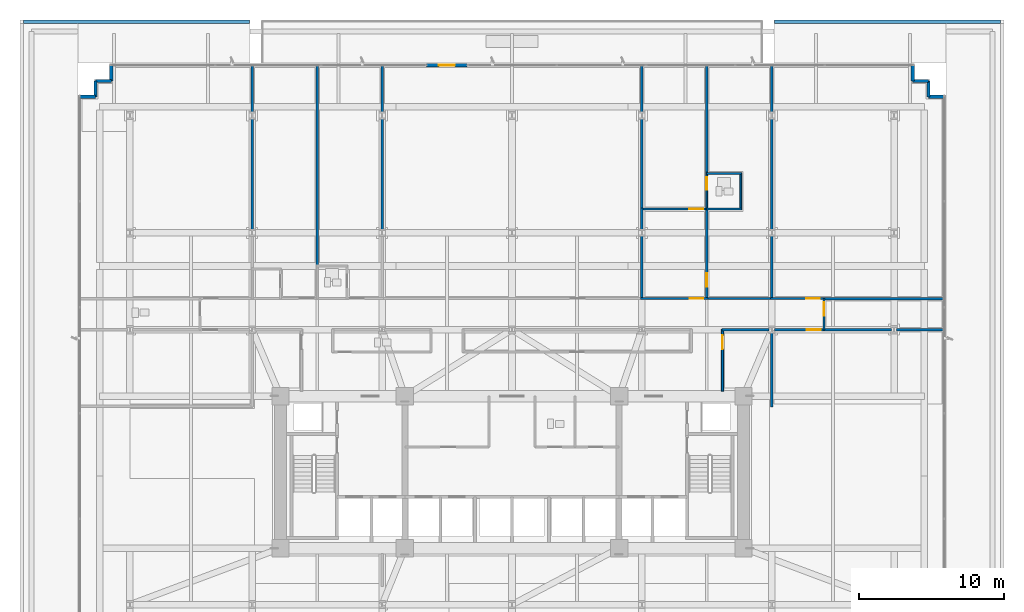
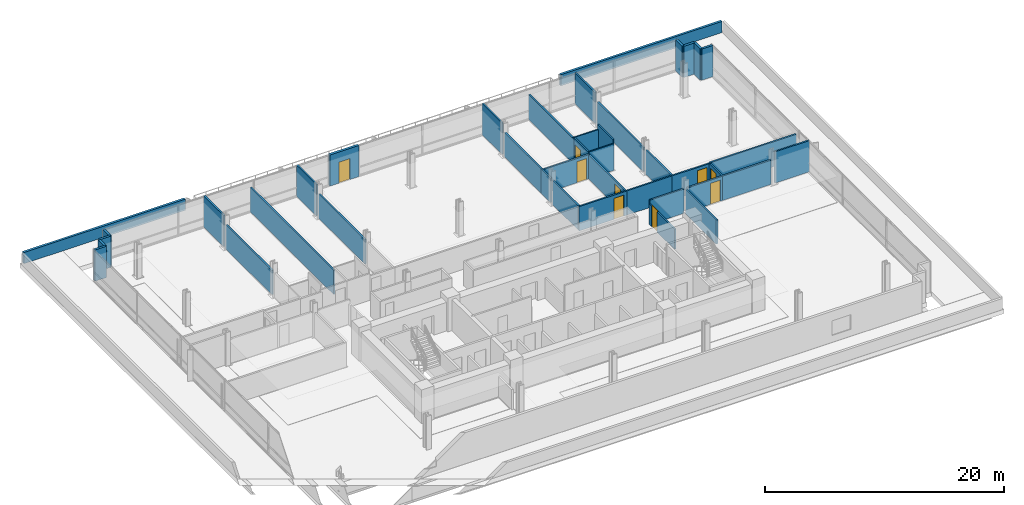
# One storey, part 20 of 25: 41 walls, 9 doors, 9 openings.
"""IFC4 building model written with IfcOpenShell, lengths in metres."""

from ifc_helpers import new_model, si_unit, direction, frame, frame_2d, origin, place, context, subcontext, project, spatial, rectangle, extrude, material, layer, layer_set, type_object, element, fill, save


model = new_model("IFC4")

# Units and contexts
model_context = context("Model", 3, precision=1e-05, world=origin(), true_north=direction((0.0, 1.0)))
body_context = subcontext(model_context, "Body", "Model", "MODEL_VIEW")
ifc_project = project(units=[si_unit("LENGTHUNIT", "METRE"), si_unit("AREAUNIT", "SQUARE_METRE"), si_unit("VOLUMEUNIT", "CUBIC_METRE"), si_unit("PLANEANGLEUNIT", "RADIAN"), si_unit("MASSUNIT", "GRAM", prefix="KILO")], contexts=[model_context])

# Site, building, storey
site_placement = place(None, origin())
site = spatial("IfcSite", under=ifc_project, at=site_placement, CompositionType="ELEMENT")
building_placement = place(site_placement, origin())
building = spatial("IfcBuilding", under=site, at=building_placement, Name="Solmavex Isthmus Hotel", CompositionType="ELEMENT")
storey_placement = place(building_placement, frame((0.0, 0.0, 26.39990234375)))
storey = spatial("IfcBuildingStorey", under=building, at=storey_placement, Name="L06", CompositionType="ELEMENT", Elevation=26.39990234375)

# Walls
ifc_material_1 = material(Name="Precast Concrete C40/50", Category="concrete")
ifc_layer_1 = layer(ifc_material_1, 0.219970703125)
ifc_layer_set_1 = layer_set([ifc_layer_1], Name="Precast Concrete C40/50")
wall_type_1 = type_object("IfcWallType", Name="EW-PAR-220", PredefinedType="PARAPET", material=ifc_layer_set_1)
for number, where, z_axis, x_axis, name in (
    (1, (-33.760009765625, 23.3798828125, 0.0), (0.0, 0.0, 1.0), (1.0, 0.0, 0.0), "Podium Roof Maintenance Parapet NW"),
    (2, (18.14990234375, 23.3798828125, 0.0), (0.0, 0.0, 1.0), (1.0, 0.0, 0.0), "Podium Roof Maintenance Parapet NE"),
):
    element("IfcWall", number, at=place(storey_placement, frame(where, z_axis=z_axis, x_axis=x_axis)), inside=storey, type_object=wall_type_1, Name=name, PredefinedType="PARAPET", context=body_context, shape_type="SweptSolid", body=[
        extrude(rectangle(XDim=15.610107421875, YDim=0.219970703125, at=frame_2d((7.80517578125, 0.0))), origin(), (0.0, 0.0, 1.0), 1.150146484375),
    ])

# Wall, opening, door
ifc_layer_2 = layer(ifc_material_1, 0.25)
ifc_layer_set_2 = layer_set([ifc_layer_2], Name="Precast Concrete C40/50")
wall_type_2 = type_object("IfcWallType", Name="EW-TWR-250", PredefinedType="STANDARD", material=ifc_layer_set_2)
wall_1_placement = place(storey_placement, frame((-5.89990234375, 20.3798828125, 0.0), z_axis=(0.0, 0.0, 1.0), x_axis=(1.0, 0.0, 0.0)))
wall_1 = element("IfcWall", 3, at=wall_1_placement, inside=storey, type_object=wall_type_2, Name="Exterior Balcony Door Wall L06-2", PredefinedType="STANDARD", context=body_context, shape_type="SweptSolid", body=[
    extrude(rectangle(XDim=2.7998046875, YDim=0.239990234375, at=frame_2d((1.39990234375, 0.0))), origin(), (0.0, 0.0, 1.0), 3.190185546875),
])
opening_1_placement = place(wall_1_placement, frame((0.85009765625, 0.0, 0.0)))
opening_1 = element("IfcOpeningElement", 4, at=opening_1_placement, cuts=wall_1, Name="Opening ED-02", PredefinedType="OPENING", context=body_context, shape_type="SweptSolid", body=[
    extrude(rectangle(XDim=1.10009765625, YDim=2.14990234375, at=frame_2d((0.550048828125, 1.074951171875))), frame((0.0, 0.1298828125, 0.0), z_axis=(0.0, -1.0, 0.0), x_axis=(1.0, 0.0, 0.0)), (0.0, 0.0, 1.0), 0.260009765625),
])
ifc_material_2 = material(Name="Aluminium alloy 6063-T6", Category="aluminium")
door_type_1 = type_object("IfcDoorType", Name="EDR-BALC-1100", OperationType="NOTDEFINED", PredefinedType="DOOR", material=ifc_material_2)
door_1_placement = place(opening_1_placement, origin())
door_1 = element("IfcDoor", 5, at=door_1_placement, inside=storey, type_object=door_type_1, Name="Balcony & Terrace Glazed Door L06-2", OperationType="SINGLE_SWING_RIGHT", OverallHeight=2.14990234375, OverallWidth=1.10009765625, PredefinedType="DOOR", context=body_context, shape_type="SweptSolid", body=[
    extrude(rectangle(XDim=1.10009765625, YDim=2.14990234375, at=frame_2d((0.550048828125, 1.074951171875))), frame((0.0, 0.02490234375, 0.0), z_axis=(0.0, -1.0, 0.0), x_axis=(1.0, 0.0, 0.0)), (0.0, 0.0, 1.0), 0.050048828125),
])
fill(opening_1, door_1)

# Walls
wall_2_placement = place(storey_placement, frame((-29.889892578125, 18.18994140625, 0.0), z_axis=(0.0, 0.0, 1.0), x_axis=(1.0, 0.0, 0.0)))
element("IfcWall", 6, at=wall_2_placement, inside=storey, type_object=wall_type_2, Name="Serrated Corner Facade Panel L06-06", PredefinedType="STANDARD", context=body_context, shape_type="SweptSolid", body=[
    extrude(rectangle(XDim=1.099853515625, YDim=0.219970703125, at=frame_2d((0.5498046875, 0.0))), origin(), (0.0, 0.0, 1.0), 3.190185546875),
])
for number, where, z_axis, x_axis, name in (
    (7, (-28.7900390625, 18.18994140625, 0.0), (0.0, 0.0, 1.0), (0.0, 1.0, 0.0), "Serrated Corner Facade Panel L06-07"),
    (8, (-28.7900390625, 19.2900390625, 0.0), (0.0, 0.0, 1.0), (1.0, 0.0, 0.0), "Serrated Corner Facade Panel L06-08"),
):
    element("IfcWall", number, at=place(storey_placement, frame(where, z_axis=z_axis, x_axis=x_axis)), inside=storey, type_object=wall_type_2, Name=name, PredefinedType="STANDARD", context=body_context, shape_type="SweptSolid", body=[
        extrude(rectangle(XDim=1.10009765625, YDim=0.219970703125, at=frame_2d((0.550048828125, 0.0))), origin(), (0.0, 0.0, 1.0), 3.190185546875),
    ])
for number, where, z_axis, x_axis, name in (
    (9, (-27.68994140625, 19.2900390625, 0.0), (0.0, 0.0, 1.0), (0.0, 1.0, 0.0), "Serrated Corner Facade Panel L06-09"),
    (10, (27.68994140625, 20.389892578125, 0.0), (0.0, 0.0, 1.0), (0.0, -1.0, 0.0), "Serrated Corner Facade Panel L06-11"),
):
    element("IfcWall", number, at=place(storey_placement, frame(where, z_axis=z_axis, x_axis=x_axis)), inside=storey, type_object=wall_type_2, Name=name, PredefinedType="STANDARD", context=body_context, shape_type="SweptSolid", body=[
        extrude(rectangle(XDim=1.099853515625, YDim=0.219970703125, at=frame_2d((0.5498046875, 0.0))), origin(), (0.0, 0.0, 1.0), 3.190185546875),
    ])
for number, where, z_axis, x_axis, name in (
    (11, (27.68994140625, 19.2900390625, 0.0), (0.0, 0.0, 1.0), (1.0, 0.0, 0.0), "Serrated Corner Facade Panel L06-12"),
    (12, (28.7900390625, 19.2900390625, 0.0), (0.0, 0.0, 1.0), (0.0, -1.0, 0.0), "Serrated Corner Facade Panel L06-13"),
):
    element("IfcWall", number, at=place(storey_placement, frame(where, z_axis=z_axis, x_axis=x_axis)), inside=storey, type_object=wall_type_2, Name=name, PredefinedType="STANDARD", context=body_context, shape_type="SweptSolid", body=[
        extrude(rectangle(XDim=1.10009765625, YDim=0.219970703125, at=frame_2d((0.550048828125, 0.0))), origin(), (0.0, 0.0, 1.0), 3.190185546875),
    ])
wall_3_placement = place(storey_placement, frame((28.7900390625, 18.18994140625, 0.0), z_axis=(0.0, 0.0, 1.0), x_axis=(1.0, 0.0, 0.0)))
element("IfcWall", 13, at=wall_3_placement, inside=storey, type_object=wall_type_2, Name="Serrated Corner Facade Panel L06-14", PredefinedType="STANDARD", context=body_context, shape_type="SweptSolid", body=[
    extrude(rectangle(XDim=1.099853515625, YDim=0.219970703125, at=frame_2d((0.5498046875, 0.0))), origin(), (0.0, 0.0, 1.0), 3.190185546875),
])
ifc_material_3 = material(Name="Gypsum plasterboard lining", Category="gypsum")
ifc_layer_3 = layer(ifc_material_3, 0.159912109375)
ifc_layer_set_3 = layer_set([ifc_layer_3], Name="Gypsum plasterboard lining")
wall_type_3 = type_object("IfcWallType", Name="IW-COMP-160", PredefinedType="PARTITIONING", material=ifc_layer_set_3)
wall_4_placement = place(storey_placement, frame((-17.951904296875, 16.72509765625, 0.0), z_axis=(0.0, 0.0, 1.0), x_axis=(0.0, -1.0, 0.0)))
element("IfcWall", 14, at=wall_4_placement, inside=storey, type_object=wall_type_3, Name="Interior Partition Wall W-L06-P033", PredefinedType="PARTITIONING", context=body_context, shape_type="SweptSolid", body=[
    extrude(rectangle(XDim=7.76220703125, YDim=0.159912109375, at=frame_2d((3.881103515625, 0.0))), origin(), (0.0, 0.0, 1.0), 2.4794921875),
])
wall_5_placement = place(storey_placement, frame((-17.951904296875, 20.419921875, 0.0), z_axis=(0.0, 0.0, 1.0), x_axis=(0.0, -1.0, 0.0)))
element("IfcWall", 15, at=wall_5_placement, inside=storey, type_object=wall_type_3, Name="Interior Partition Wall W-L06-P034", PredefinedType="PARTITIONING", context=body_context, shape_type="SweptSolid", body=[
    extrude(rectangle(XDim=3.344970703125, YDim=0.159912109375, at=frame_2d((1.67236328125, 0.0))), origin(), (0.0, 0.0, 1.0), 3.190185546875),
])
wall_6_placement = place(storey_placement, frame((-13.464111328125, 20.419921875, 0.0), z_axis=(0.0, 0.0, 1.0), x_axis=(0.0, -1.0, 0.0)))
element("IfcWall", 16, at=wall_6_placement, inside=storey, type_object=wall_type_3, Name="Interior Partition Wall W-L06-P039", PredefinedType="PARTITIONING", context=body_context, shape_type="SweptSolid", body=[
    extrude(rectangle(XDim=14.001953125, YDim=0.159912109375, at=frame_2d((7.0009765625, 0.0))), origin(), (0.0, 0.0, 1.0), 2.4794921875),
])
wall_7_placement = place(storey_placement, frame((-8.97607421875, 16.72509765625, 0.0), z_axis=(0.0, 0.0, 1.0), x_axis=(0.0, -1.0, 0.0)))
element("IfcWall", 17, at=wall_7_placement, inside=storey, type_object=wall_type_3, Name="Interior Partition Wall W-L06-P044", PredefinedType="PARTITIONING", context=body_context, shape_type="SweptSolid", body=[
    extrude(rectangle(XDim=7.76220703125, YDim=0.159912109375, at=frame_2d((3.881103515625, 0.0))), origin(), (0.0, 0.0, 1.0), 2.4794921875),
])
wall_8_placement = place(storey_placement, frame((-8.97607421875, 20.419921875, 0.0), z_axis=(0.0, 0.0, 1.0), x_axis=(0.0, -1.0, 0.0)))
element("IfcWall", 18, at=wall_8_placement, inside=storey, type_object=wall_type_3, Name="Interior Partition Wall W-L06-P045", PredefinedType="PARTITIONING", context=body_context, shape_type="SweptSolid", body=[
    extrude(rectangle(XDim=3.344970703125, YDim=0.159912109375, at=frame_2d((1.67236328125, 0.0))), origin(), (0.0, 0.0, 1.0), 3.190185546875),
])
wall_9_placement = place(storey_placement, frame((8.97607421875, 8.613037109375, 0.0), z_axis=(0.0, 0.0, 1.0), x_axis=(0.0, -1.0, 0.0)))
element("IfcWall", 19, at=wall_9_placement, inside=storey, type_object=wall_type_3, Name="Interior Partition Wall W-L06-P046", PredefinedType="PARTITIONING", context=body_context, shape_type="SweptSolid", body=[
    extrude(rectangle(XDim=4.403076171875, YDim=0.159912109375, at=frame_2d((2.20166015625, 0.0))), origin(), (0.0, 0.0, 1.0), 2.4794921875),
])
wall_10_placement = place(storey_placement, frame((8.97607421875, 10.52001953125, 0.0), z_axis=(0.0, 0.0, 1.0), x_axis=(0.0, -1.0, 0.0)))
element("IfcWall", 20, at=wall_10_placement, inside=storey, type_object=wall_type_3, Name="Interior Partition Wall W-L06-P047", PredefinedType="PARTITIONING", context=body_context, shape_type="SweptSolid", body=[
    extrude(rectangle(XDim=1.55712890625, YDim=0.159912109375, at=frame_2d((0.778564453125, 0.0))), origin(), (0.0, 0.0, 1.0), 2.4794921875),
])
wall_11_placement = place(storey_placement, frame((8.97607421875, 16.72509765625, 0.0), z_axis=(0.0, 0.0, 1.0), x_axis=(0.0, -1.0, 0.0)))
element("IfcWall", 21, at=wall_11_placement, inside=storey, type_object=wall_type_3, Name="Interior Partition Wall W-L06-P048", PredefinedType="PARTITIONING", context=body_context, shape_type="SweptSolid", body=[
    extrude(rectangle(XDim=6.369140625, YDim=0.159912109375, at=frame_2d((3.1845703125, 0.0))), origin(), (0.0, 0.0, 1.0), 2.4794921875),
])
wall_12_placement = place(storey_placement, frame((8.97607421875, 20.419921875, 0.0), z_axis=(0.0, 0.0, 1.0), x_axis=(0.0, -1.0, 0.0)))
element("IfcWall", 22, at=wall_12_placement, inside=storey, type_object=wall_type_3, Name="Interior Partition Wall W-L06-P049", PredefinedType="PARTITIONING", context=body_context, shape_type="SweptSolid", body=[
    extrude(rectangle(XDim=3.344970703125, YDim=0.159912109375, at=frame_2d((1.67236328125, 0.0))), origin(), (0.0, 0.0, 1.0), 3.190185546875),
])

# Wall, opening, door
wall_13_placement = place(storey_placement, frame((8.93603515625, 10.43798828125, 0.0), z_axis=(0.0, 0.0, 1.0), x_axis=(1.0, 0.0, 0.0)))
wall_13 = element("IfcWall", 23, at=wall_13_placement, inside=storey, type_object=wall_type_3, Name="Interior Partition Wall W-L06-P050", PredefinedType="PARTITIONING", context=body_context, shape_type="SweptSolid", body=[
    extrude(rectangle(XDim=4.56787109375, YDim=0.159912109375, at=frame_2d((2.283935546875, 0.0))), origin(), (0.0, 0.0, 1.0), 2.4794921875),
])
opening_2_placement = place(wall_13_placement, frame((3.31689453125, 0.0, 0.0)))
opening_2 = element("IfcOpeningElement", 24, at=opening_2_placement, cuts=wall_13, Name="Opening ID-C095", PredefinedType="OPENING", context=body_context, shape_type="SweptSolid", body=[
    extrude(rectangle(XDim=0.949951171875, YDim=2.14990234375, at=frame_2d((0.47509765625, 1.074951171875))), frame((0.0, 0.08984375, 0.0), z_axis=(0.0, -1.0, 0.0), x_axis=(1.0, 0.0, 0.0)), (0.0, 0.0, 1.0), 0.179931640625),
])
ifc_material_4 = material(Name="Hardwood timber", Category="wood")
door_type_2 = type_object("IfcDoorType", Name="IDR-FD60-0950", OperationType="NOTDEFINED", PredefinedType="DOOR", material=ifc_material_4)
door_2_placement = place(opening_2_placement, origin())
door_2 = element("IfcDoor", 25, at=door_2_placement, inside=storey, type_object=door_type_2, Name="Premier Suite Master Bedroom Door L06-08", OperationType="SINGLE_SWING_RIGHT", OverallHeight=2.14990234375, OverallWidth=0.949951171875, PredefinedType="DOOR", context=body_context, shape_type="SweptSolid", body=[
    extrude(rectangle(XDim=0.949951171875, YDim=2.14990234375, at=frame_2d((0.47509765625, 1.074951171875))), frame((0.0, 0.02490234375, 0.0), z_axis=(0.0, -1.0, 0.0), x_axis=(1.0, 0.0, 0.0)), (0.0, 0.0, 1.0), 0.050048828125),
])
fill(opening_2, door_2)

wall_14_placement = place(storey_placement, frame((13.464111328125, 10.47802734375, 0.0), z_axis=(0.0, 0.0, 1.0), x_axis=(0.0, -1.0, 0.0)))
wall_14 = element("IfcWall", 26, at=wall_14_placement, inside=storey, type_object=wall_type_3, Name="Interior Partition Wall W-L06-P051", PredefinedType="PARTITIONING", context=body_context, shape_type="SweptSolid", body=[
    extrude(rectangle(XDim=6.26806640625, YDim=0.159912109375, at=frame_2d((3.134033203125, 0.0))), origin(), (0.0, 0.0, 1.0), 2.4794921875),
])
opening_3_placement = place(wall_14_placement, frame((4.478271484375, 0.0, 0.0)))
opening_3 = element("IfcOpeningElement", 27, at=opening_3_placement, cuts=wall_14, Name="Opening ID-C095", PredefinedType="OPENING", context=body_context, shape_type="SweptSolid", body=[
    extrude(rectangle(XDim=0.949951171875, YDim=2.14990234375, at=frame_2d((0.47509765625, 1.074951171875))), frame((0.0, 0.08984375, 0.0), z_axis=(0.0, -1.0, 0.0), x_axis=(1.0, 0.0, 0.0)), (0.0, 0.0, 1.0), 0.179931640625),
])
door_3_placement = place(opening_3_placement, origin())
door_3 = element("IfcDoor", 28, at=door_3_placement, inside=storey, type_object=door_type_2, Name="Premier Suite Living Lounge Door L06-09", OperationType="SINGLE_SWING_LEFT", OverallHeight=2.14990234375, OverallWidth=0.949951171875, PredefinedType="DOOR", context=body_context, shape_type="SweptSolid", body=[
    extrude(rectangle(XDim=0.949951171875, YDim=2.14990234375, at=frame_2d((0.47509765625, 1.074951171875))), frame((0.0, 0.02490234375, 0.0), z_axis=(0.0, -1.0, 0.0), x_axis=(1.0, 0.0, 0.0)), (0.0, 0.0, 1.0), 0.050048828125),
])
fill(opening_3, door_3)

# Walls
wall_15_placement = place(storey_placement, frame((13.464111328125, 20.419921875, 0.0), z_axis=(0.0, 0.0, 1.0), x_axis=(0.0, -1.0, 0.0)))
element("IfcWall", 29, at=wall_15_placement, inside=storey, type_object=wall_type_3, Name="Interior Partition Wall W-L06-P052", PredefinedType="PARTITIONING", context=body_context, shape_type="SweptSolid", body=[
    extrude(rectangle(XDim=7.614013671875, YDim=0.159912109375, at=frame_2d((3.80712890625, 0.0))), origin(), (0.0, 0.0, 1.0), 2.55322265625),
])
wall_16_placement = place(storey_placement, frame((17.951904296875, 8.613037109375, 0.0), z_axis=(0.0, 0.0, 1.0), x_axis=(0.0, -1.0, 0.0)))
element("IfcWall", 30, at=wall_16_placement, inside=storey, type_object=wall_type_3, Name="Interior Partition Wall W-L06-P057", PredefinedType="PARTITIONING", context=body_context, shape_type="SweptSolid", body=[
    extrude(rectangle(XDim=4.403076171875, YDim=0.159912109375, at=frame_2d((2.20166015625, 0.0))), origin(), (0.0, 0.0, 1.0), 2.4794921875),
])
wall_17_placement = place(storey_placement, frame((17.951904296875, 16.72509765625, 0.0), z_axis=(0.0, 0.0, 1.0), x_axis=(0.0, -1.0, 0.0)))
element("IfcWall", 31, at=wall_17_placement, inside=storey, type_object=wall_type_3, Name="Interior Partition Wall W-L06-P058", PredefinedType="PARTITIONING", context=body_context, shape_type="SweptSolid", body=[
    extrude(rectangle(XDim=7.76220703125, YDim=0.159912109375, at=frame_2d((3.881103515625, 0.0))), origin(), (0.0, 0.0, 1.0), 2.4794921875),
])
wall_18_placement = place(storey_placement, frame((17.951904296875, 20.419921875, 0.0), z_axis=(0.0, 0.0, 1.0), x_axis=(0.0, -1.0, 0.0)))
element("IfcWall", 32, at=wall_18_placement, inside=storey, type_object=wall_type_3, Name="Interior Partition Wall W-L06-P059", PredefinedType="PARTITIONING", context=body_context, shape_type="SweptSolid", body=[
    extrude(rectangle(XDim=3.344970703125, YDim=0.159912109375, at=frame_2d((1.67236328125, 0.0))), origin(), (0.0, 0.0, 1.0), 3.190185546875),
])
wall_19_placement = place(storey_placement, frame((29.919921875, 4.22998046875, 0.0), z_axis=(0.0, 0.0, 1.0), x_axis=(-1.0, 0.0, 0.0)))
element("IfcWall", 33, at=wall_19_placement, inside=storey, type_object=wall_type_3, Name="Interior Partition Wall W-L06-P060", PredefinedType="PARTITIONING", context=body_context, shape_type="SweptSolid", body=[
    extrude(rectangle(XDim=8.407958984375, YDim=0.159912109375, at=frame_2d((4.2041015625, 0.0))), origin(), (0.0, 0.0, 1.0), 2.55322265625),
])
wall_20_placement = place(storey_placement, frame((26.22509765625, 2.10009765625, 0.0), z_axis=(0.0, 0.0, 1.0), x_axis=(-1.0, 0.0, 0.0)))
element("IfcWall", 34, at=wall_20_placement, inside=storey, type_object=wall_type_3, Name="Interior Partition Wall W-L06-P063", PredefinedType="PARTITIONING", context=body_context, shape_type="SweptSolid", body=[
    extrude(rectangle(XDim=4.713134765625, YDim=0.159912109375, at=frame_2d((2.3564453125, 0.0))), origin(), (0.0, 0.0, 1.0), 2.4794921875),
])
wall_21_placement = place(storey_placement, frame((29.919921875, 2.10009765625, 0.0), z_axis=(0.0, 0.0, 1.0), x_axis=(-1.0, 0.0, 0.0)))
element("IfcWall", 35, at=wall_21_placement, inside=storey, type_object=wall_type_3, Name="Interior Partition Wall W-L06-P064", PredefinedType="PARTITIONING", context=body_context, shape_type="SweptSolid", body=[
    extrude(rectangle(XDim=3.344970703125, YDim=0.159912109375, at=frame_2d((1.67236328125, 0.0))), origin(), (0.0, 0.0, 1.0), 3.190185546875),
])
wall_22_placement = place(storey_placement, frame((17.951904296875, -3.239990234375, 0.0), z_axis=(0.0, 0.0, 1.0), x_axis=(0.0, 1.0, 0.0)))
element("IfcWall", 36, at=wall_22_placement, inside=storey, type_object=wall_type_3, Name="Interior Partition Wall W-L06-P067", PredefinedType="PARTITIONING", context=body_context, shape_type="SweptSolid", body=[
    extrude(rectangle(XDim=5.1650390625, YDim=0.159912109375, at=frame_2d((2.58251953125, 0.0))), origin(), (0.0, 0.0, 1.0), 2.4794921875),
])

# Wall, opening, door
ifc_layer_4 = layer(ifc_material_3, 0.14990234375)
ifc_layer_set_4 = layer_set([ifc_layer_4], Name="Gypsum plasterboard lining")
wall_type_4 = type_object("IfcWallType", Name="IW-CORR-150", PredefinedType="PARTITIONING", material=ifc_layer_set_4)
wall_23_placement = place(storey_placement, frame((8.89404296875, 4.25, 0.0), z_axis=(0.0, 0.0, 1.0), x_axis=(1.0, 0.0, 0.0)))
wall_23 = element("IfcWall", 37, at=wall_23_placement, inside=storey, type_object=wall_type_4, Name="Interior Partition Wall W-L06-P007", PredefinedType="PARTITIONING", context=body_context, shape_type="SweptSolid", body=[
    extrude(rectangle(XDim=4.65185546875, YDim=0.14990234375, at=frame_2d((2.325927734375, 0.0))), origin(), (0.0, 0.0, 1.0), 2.4794921875),
])
opening_4_placement = place(wall_23_placement, frame((3.38720703125, 0.0, 0.0)))
opening_4 = element("IfcOpeningElement", 38, at=opening_4_placement, cuts=wall_23, Name="Opening ID-C095", PredefinedType="OPENING", context=body_context, shape_type="SweptSolid", body=[
    extrude(rectangle(XDim=0.949951171875, YDim=2.14990234375, at=frame_2d((0.47509765625, 1.074951171875))), frame((0.0, 0.0849609375, 0.0), z_axis=(0.0, -1.0, 0.0), x_axis=(1.0, 0.0, 0.0)), (0.0, 0.0, 1.0), 0.169921875),
])
door_4_placement = place(opening_4_placement, origin())
door_4 = element("IfcDoor", 39, at=door_4_placement, inside=storey, type_object=door_type_2, Name="Premier Suite Entrance Hall Door L06-07", OperationType="SINGLE_SWING_LEFT", OverallHeight=2.14990234375, OverallWidth=0.949951171875, PredefinedType="DOOR", context=body_context, shape_type="SweptSolid", body=[
    extrude(rectangle(XDim=0.949951171875, YDim=2.14990234375, at=frame_2d((0.47509765625, 1.074951171875))), frame((0.0, 0.02490234375, 0.0), z_axis=(0.0, -1.0, 0.0), x_axis=(1.0, 0.0, 0.0)), (0.0, 0.0, 1.0), 0.050048828125),
])
fill(opening_4, door_4)

# Wall
wall_24_placement = place(storey_placement, frame((13.382080078125, 4.25, 0.0), z_axis=(0.0, 0.0, 1.0), x_axis=(1.0, 0.0, 0.0)))
element("IfcWall", 40, at=wall_24_placement, inside=storey, type_object=wall_type_4, Name="Interior Partition Wall W-L06-P008", PredefinedType="PARTITIONING", context=body_context, shape_type="SweptSolid", body=[
    extrude(rectangle(XDim=4.65185546875, YDim=0.14990234375, at=frame_2d((2.325927734375, 0.0))), origin(), (0.0, 0.0, 1.0), 2.4794921875),
])

# Wall, opening, door
wall_25_placement = place(storey_placement, frame((17.8701171875, 4.25, 0.0), z_axis=(0.0, 0.0, 1.0), x_axis=(1.0, 0.0, 0.0)))
wall_25 = element("IfcWall", 41, at=wall_25_placement, inside=storey, type_object=wall_type_4, Name="Interior Partition Wall W-L06-P009", PredefinedType="PARTITIONING", context=body_context, shape_type="SweptSolid", body=[
    extrude(rectangle(XDim=3.721923828125, YDim=0.14990234375, at=frame_2d((1.86083984375, 0.0))), origin(), (0.0, 0.0, 1.0), 2.4794921875),
])
opening_5_placement = place(wall_25_placement, frame((2.456787109375, 0.0, 0.0)))
opening_5 = element("IfcOpeningElement", 42, at=opening_5_placement, cuts=wall_25, Name="Opening ID-C095", PredefinedType="OPENING", context=body_context, shape_type="SweptSolid", body=[
    extrude(rectangle(XDim=0.949951171875, YDim=2.14990234375, at=frame_2d((0.47509765625, 1.074951171875))), frame((0.0, 0.0849609375, 0.0), z_axis=(0.0, -1.0, 0.0), x_axis=(1.0, 0.0, 0.0)), (0.0, 0.0, 1.0), 0.169921875),
])
door_5_placement = place(opening_5_placement, origin())
door_5 = element("IfcDoor", 43, at=door_5_placement, inside=storey, type_object=door_type_2, Name="Corporate Briefing Office Door L06-11", OperationType="SINGLE_SWING_LEFT", OverallHeight=2.14990234375, OverallWidth=0.949951171875, PredefinedType="DOOR", context=body_context, shape_type="SweptSolid", body=[
    extrude(rectangle(XDim=0.949951171875, YDim=2.14990234375, at=frame_2d((0.47509765625, 1.074951171875))), frame((0.0, 0.02490234375, 0.0), z_axis=(0.0, -1.0, 0.0), x_axis=(1.0, 0.0, 0.0)), (0.0, 0.0, 1.0), 0.050048828125),
])
fill(opening_5, door_5)

wall_26_placement = place(storey_placement, frame((21.552001953125, 4.27001953125, 0.0), z_axis=(0.0, 0.0, 1.0), x_axis=(0.0, -1.0, 0.0)))
wall_26 = element("IfcWall", 44, at=wall_26_placement, inside=storey, type_object=wall_type_4, Name="Interior Partition Wall W-L06-P017", PredefinedType="PARTITIONING", context=body_context, shape_type="SweptSolid", body=[
    extrude(rectangle(XDim=2.2099609375, YDim=0.14990234375, at=frame_2d((1.10498046875, 0.0))), origin(), (0.0, 0.0, 1.0), 2.4794921875),
])
opening_6_placement = place(wall_26_placement, frame((0.272216796875, 0.0, 0.0)))
opening_6 = element("IfcOpeningElement", 45, at=opening_6_placement, cuts=wall_26, Name="Opening ID-C095", PredefinedType="OPENING", context=body_context, shape_type="SweptSolid", body=[
    extrude(rectangle(XDim=0.949951171875, YDim=2.14990234375, at=frame_2d((0.47509765625, 1.074951171875))), frame((0.0, 0.0849609375, 0.0), z_axis=(0.0, -1.0, 0.0), x_axis=(1.0, 0.0, 0.0)), (0.0, 0.0, 1.0), 0.169921875),
])
door_6_placement = place(opening_6_placement, origin())
door_6 = element("IfcDoor", 46, at=door_6_placement, inside=storey, type_object=door_type_2, Name="Executive Meeting Room Door L06-14", OperationType="SINGLE_SWING_RIGHT", OverallHeight=2.14990234375, OverallWidth=0.949951171875, PredefinedType="DOOR", context=body_context, shape_type="SweptSolid", body=[
    extrude(rectangle(XDim=0.949951171875, YDim=2.14990234375, at=frame_2d((0.47509765625, 1.074951171875))), frame((0.0, 0.02490234375, 0.0), z_axis=(0.0, -1.0, 0.0), x_axis=(1.0, 0.0, 0.0)), (0.0, 0.0, 1.0), 0.050048828125),
])
fill(opening_6, door_6)

wall_27_placement = place(storey_placement, frame((21.592041015625, 2.10009765625, 0.0), z_axis=(0.0, 0.0, 1.0), x_axis=(-1.0, 0.0, 0.0)))
wall_27 = element("IfcWall", 47, at=wall_27_placement, inside=storey, type_object=wall_type_4, Name="Interior Partition Wall W-L06-P027", PredefinedType="PARTITIONING", context=body_context, shape_type="SweptSolid", body=[
    extrude(rectangle(XDim=3.465087890625, YDim=0.14990234375, at=frame_2d((1.732421875, 0.0))), origin(), (0.0, 0.0, 1.0), 2.4794921875),
])
opening_7_placement = place(wall_27_placement, frame((0.26220703125, 0.0, 0.0)))
opening_7 = element("IfcOpeningElement", 48, at=opening_7_placement, cuts=wall_27, Name="Opening ID-C095", PredefinedType="OPENING", context=body_context, shape_type="SweptSolid", body=[
    extrude(rectangle(XDim=0.949951171875, YDim=2.14990234375, at=frame_2d((0.47509765625, 1.074951171875))), frame((0.0, 0.0849609375, 0.0), z_axis=(0.0, -1.0, 0.0), x_axis=(1.0, 0.0, 0.0)), (0.0, 0.0, 1.0), 0.169921875),
])
door_7_placement = place(opening_7_placement, origin())
door_7 = element("IfcDoor", 49, at=door_7_placement, inside=storey, type_object=door_type_2, Name="Business Briefing Office Door L06-17", OperationType="SINGLE_SWING_LEFT", OverallHeight=2.14990234375, OverallWidth=0.949951171875, PredefinedType="DOOR", context=body_context, shape_type="SweptSolid", body=[
    extrude(rectangle(XDim=0.949951171875, YDim=2.14990234375, at=frame_2d((0.47509765625, 1.074951171875))), frame((0.0, 0.02490234375, 0.0), z_axis=(0.0, -1.0, 0.0), x_axis=(1.0, 0.0, 0.0)), (0.0, 0.0, 1.0), 0.050048828125),
])
fill(opening_7, door_7)

# Wall
wall_28_placement = place(storey_placement, frame((17.777099609375, 2.10009765625, 0.0), z_axis=(0.0, 0.0, 1.0), x_axis=(-1.0, 0.0, 0.0)))
element("IfcWall", 50, at=wall_28_placement, inside=storey, type_object=wall_type_4, Name="Interior Partition Wall W-L06-P030", PredefinedType="PARTITIONING", context=body_context, shape_type="SweptSolid", body=[
    extrude(rectangle(XDim=3.273193359375, YDim=0.14990234375, at=frame_2d((1.63671875, 0.0))), origin(), (0.0, 0.0, 1.0), 2.4794921875),
])

# Wall, opening, door
wall_29_placement = place(storey_placement, frame((14.5439453125, 2.139892578125, 0.0), z_axis=(0.0, 0.0, 1.0), x_axis=(0.0, -1.0, 0.0)))
wall_29 = element("IfcWall", 51, at=wall_29_placement, inside=storey, type_object=wall_type_4, Name="Interior Partition Wall W-L06-P031", PredefinedType="PARTITIONING", context=body_context, shape_type="SweptSolid", body=[
    extrude(rectangle(XDim=4.27978515625, YDim=0.14990234375, at=frame_2d((2.139892578125, 0.0))), origin(), (0.0, 0.0, 1.0), 2.0751953125),
])
opening_8_placement = place(wall_29_placement, frame((0.43017578125, 0.0, 0.0)))
opening_8 = element("IfcOpeningElement", 52, at=opening_8_placement, cuts=wall_29, Name="Opening ID-C095", PredefinedType="OPENING", context=body_context, shape_type="SweptSolid", body=[
    extrude(rectangle(XDim=0.949951171875, YDim=2.14990234375, at=frame_2d((0.47509765625, 1.074951171875))), frame((0.0, 0.0849609375, 0.0), z_axis=(0.0, -1.0, 0.0), x_axis=(1.0, 0.0, 0.0)), (0.0, 0.0, 1.0), 0.169921875),
])
door_8_placement = place(opening_8_placement, frame((0.949951171875, 0.0, 0.0), z_axis=(0.0, 0.0, 1.0), x_axis=(-1.0, 0.0, 0.0)))
door_8 = element("IfcDoor", 53, at=door_8_placement, inside=storey, type_object=door_type_2, Name="Business Briefing Office Door L06-19", OperationType="SINGLE_SWING_LEFT", OverallHeight=2.14990234375, OverallWidth=0.949951171875, PredefinedType="DOOR", context=body_context, shape_type="SweptSolid", body=[
    extrude(rectangle(XDim=0.949951171875, YDim=2.14990234375, at=frame_2d((0.47509765625, 1.074951171875))), frame((0.0, 0.02490234375, 0.0), z_axis=(0.0, -1.0, 0.0), x_axis=(1.0, 0.0, 0.0)), (0.0, 0.0, 1.0), 0.050048828125),
])
fill(opening_8, door_8)

ifc_layer_5 = layer(ifc_material_3, 0.1201171875)
ifc_layer_set_5 = layer_set([ifc_layer_5], Name="Gypsum plasterboard lining")
wall_type_5 = type_object("IfcWallType", Name="IW-PART-120", PredefinedType="PARTITIONING", material=ifc_layer_set_5)
wall_30_placement = place(storey_placement, frame((13.464111328125, 12.969970703125, 0.0), z_axis=(0.0, 0.0, 1.0), x_axis=(0.0, -1.0, 0.0)))
wall_30 = element("IfcWall", 54, at=wall_30_placement, inside=storey, type_object=wall_type_5, Name="Interior Partition Wall W-L06-P053", PredefinedType="PARTITIONING", context=body_context, shape_type="SweptSolid", body=[
    extrude(rectangle(XDim=2.572021484375, YDim=0.1201171875, at=frame_2d((1.2861328125, 0.0))), origin(), (0.0, 0.0, 1.0), 2.71826171875),
])
opening_9_placement = place(wall_30_placement, frame((0.337646484375, 0.0, 0.0)))
opening_9 = element("IfcOpeningElement", 55, at=opening_9_placement, cuts=wall_30, Name="Opening ID-U085", PredefinedType="OPENING", context=body_context, shape_type="SweptSolid", body=[
    extrude(rectangle(XDim=0.85009765625, YDim=2.10009765625, at=frame_2d((0.425048828125, 1.050048828125))), frame((0.0, 0.070068359375, 0.0), z_axis=(0.0, -1.0, 0.0), x_axis=(1.0, 0.0, 0.0)), (0.0, 0.0, 1.0), 0.14013671875),
])
door_type_3 = type_object("IfcDoorType", Name="IDR-UNR-0850", OperationType="NOTDEFINED", PredefinedType="DOOR", material=ifc_material_4)
door_9_placement = place(opening_9_placement, origin())
door_9 = element("IfcDoor", 56, at=door_9_placement, inside=storey, type_object=door_type_3, Name="En-suite Bathroom Door L06-10", OperationType="SINGLE_SWING_RIGHT", OverallHeight=2.10009765625, OverallWidth=0.85009765625, PredefinedType="DOOR", context=body_context, shape_type="SweptSolid", body=[
    extrude(rectangle(XDim=0.85009765625, YDim=2.10009765625, at=frame_2d((0.425048828125, 1.050048828125))), frame((0.0, 0.02490234375, 0.0), z_axis=(0.0, -1.0, 0.0), x_axis=(1.0, 0.0, 0.0)), (0.0, 0.0, 1.0), 0.050048828125),
])
fill(opening_9, door_9)

# Walls
wall_31_placement = place(storey_placement, frame((13.424072265625, 10.43798828125, 0.0), z_axis=(0.0, 0.0, 1.0), x_axis=(1.0, 0.0, 0.0)))
element("IfcWall", 57, at=wall_31_placement, inside=storey, type_object=wall_type_5, Name="Interior Partition Wall W-L06-P054", PredefinedType="PARTITIONING", context=body_context, shape_type="SweptSolid", body=[
    extrude(rectangle(XDim=2.429931640625, YDim=0.1201171875, at=frame_2d((1.21484375, 0.0))), origin(), (0.0, 0.0, 1.0), 2.71826171875),
])
wall_32_placement = place(storey_placement, frame((15.81396484375, 10.39794921875, 0.0), z_axis=(0.0, 0.0, 1.0), x_axis=(0.0, 1.0, 0.0)))
element("IfcWall", 58, at=wall_32_placement, inside=storey, type_object=wall_type_5, Name="Interior Partition Wall W-L06-P055", PredefinedType="PARTITIONING", context=body_context, shape_type="SweptSolid", body=[
    extrude(rectangle(XDim=2.530029296875, YDim=0.1201171875, at=frame_2d((1.26513671875, 0.0))), origin(), (0.0, 0.0, 1.0), 3.190185546875),
])
wall_33_placement = place(storey_placement, frame((15.85400390625, 12.887939453125, 0.0), z_axis=(0.0, 0.0, 1.0), x_axis=(-1.0, 0.0, 0.0)))
element("IfcWall", 59, at=wall_33_placement, inside=storey, type_object=wall_type_5, Name="Interior Partition Wall W-L06-P056", PredefinedType="PARTITIONING", context=body_context, shape_type="SweptSolid", body=[
    extrude(rectangle(XDim=2.429931640625, YDim=0.1201171875, at=frame_2d((1.21484375, 0.0))), origin(), (0.0, 0.0, 1.0), 2.71826171875),
])

save(model, "model.ifc")
